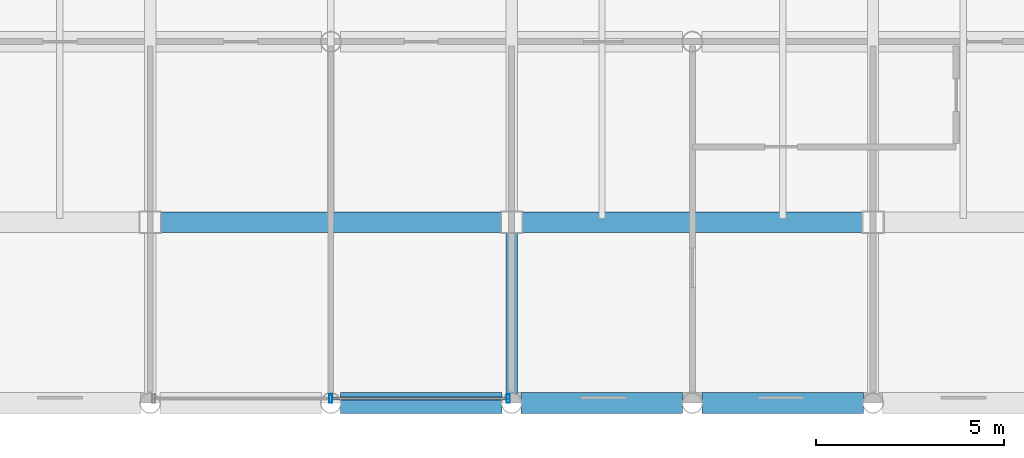
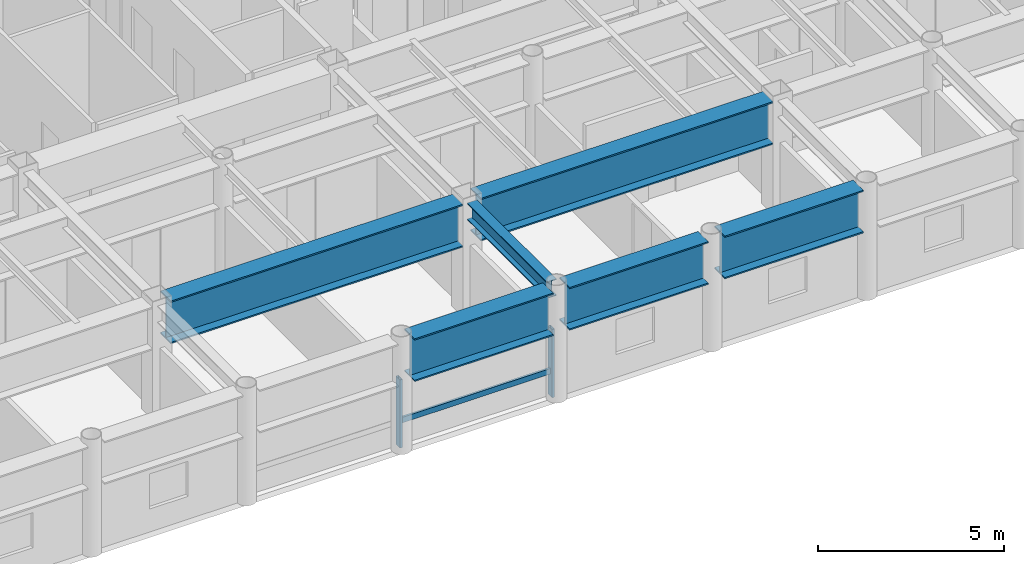
# One storey, part 8 of 25: 6 beams, 3 members, 1 element without a shape of its own.
"""IFC4 building model written with IfcOpenShell, lengths in metres."""

from ifc_helpers import new_model, si_unit, direction, frame, origin, origin_2d, place, context, subcontext, project, spatial, hollow_rectangle, i_section, extrude, material, layer, layer_set, material_profile, profile_set, type_object, element, aggregate, save


model = new_model("IFC4")

# Units and contexts
model_context = context("Model", 3, precision=1e-05, world=origin(), true_north=direction((0.0, 1.0)))
body_context = subcontext(model_context, "Body", "Model", "MODEL_VIEW")
ifc_project = project(units=[si_unit("LENGTHUNIT", "METRE"), si_unit("AREAUNIT", "SQUARE_METRE"), si_unit("VOLUMEUNIT", "CUBIC_METRE"), si_unit("PLANEANGLEUNIT", "RADIAN"), si_unit("MASSUNIT", "GRAM", prefix="KILO")], contexts=[model_context])

# Site, building, storey
site_placement = place(None, origin())
site = spatial("IfcSite", under=ifc_project, at=site_placement, CompositionType="ELEMENT")
building_placement = place(site_placement, origin())
building = spatial("IfcBuilding", under=site, at=building_placement, Name="Kallvorn Hotel Tower", CompositionType="ELEMENT")
storey_placement = place(building_placement, frame((0.0, 0.0, 249.25)))
storey = spatial("IfcBuildingStorey", under=building, at=storey_placement, Name="L62", CompositionType="ELEMENT", Elevation=249.25)

# Beams
ifc_material_1 = material(Name="Structural steel S355JR", Category="steel")
ifc_material_profile_1 = material_profile(ifc_material_1, i_section(OverallWidth=0.300048828125, OverallDepth=0.550048828125, WebThickness=0.014892578125, FlangeThickness=0.029052734375, at=origin_2d()), Name="HE 550 B")
ifc_profile_set_1 = profile_set([ifc_material_profile_1], Name="Structural steel S355JR")
beam_type_1 = type_object("IfcBeamType", Name="BM_HE550B", PredefinedType="SPANDREL", material=ifc_profile_set_1)
beam_1_placement = place(storey_placement, frame((4.800048828125, -18.945556640625, 3.39501953125), z_axis=(0.0, 1.0, 0.0), x_axis=(-1.0, 0.0, 0.0)))
element("IfcBeam", 1, at=beam_1_placement, inside=storey, type_object=beam_type_1, Name="L63 Primary Y-Girder 114", PredefinedType="SPANDREL", context=body_context, shape_type="SweptSolid", body=[
    extrude(i_section(OverallWidth=0.300048828125, OverallDepth=0.550048828125, WebThickness=0.014892578125, FlangeThickness=0.029052734375, at=origin_2d()), origin(), (0.0, 0.0, 1.0), 4.2705078125),
])
ifc_material_2 = material(Name="Structural steel S355JR", Category="steel")
ifc_material_profile_2 = material_profile(ifc_material_2, i_section(OverallWidth=0.550048828125, OverallDepth=1.39990234375, WebThickness=0.02490234375, FlangeThickness=0.044921875, at=origin_2d()), Name="PG 1400x550x25x45")
ifc_profile_set_2 = profile_set([ifc_material_profile_2], Name="Structural steel S355JR")
beam_type_2 = type_object("IfcBeamType", Name="BM_PG_1400", PredefinedType="BEAM", material=ifc_profile_set_2)
for number, where, z_axis, x_axis, name in (
    (2, (0.25439453125, -19.199951171875, 2.969970703125), (1.0, 0.0, 0.0), (0.0, 1.0, 0.0), "L63 Primary X-Girder 07"),
    (3, (5.054443359375, -19.199951171875, 2.969970703125), (1.0, 0.0, 0.0), (0.0, 1.0, 0.0), "L63 Primary X-Girder 08"),
    (4, (9.8544921875, -19.199951171875, 2.969970703125), (1.0, 0.0, 0.0), (0.0, 1.0, 0.0), "L63 Primary X-Girder 09"),
):
    element("IfcBeam", number, at=place(storey_placement, frame(where, z_axis=z_axis, x_axis=x_axis)), inside=storey, type_object=beam_type_2, Name=name, PredefinedType="BEAM", context=body_context, shape_type="SweptSolid", body=[
        extrude(i_section(OverallWidth=0.550048828125, OverallDepth=1.39990234375, WebThickness=0.02490234375, FlangeThickness=0.044921875, at=origin_2d()), origin(), (0.0, 0.0, 1.0), 4.291015625),
    ])
beam_2_placement = place(storey_placement, frame((-4.52490234375, -14.39990234375, 2.969970703125), z_axis=(1.0, 0.0, 0.0), x_axis=(0.0, 1.0, 0.0)))
element("IfcBeam", 5, at=beam_2_placement, inside=storey, type_object=beam_type_2, Name="L63 Primary X-Girder 18", PredefinedType="BEAM", context=body_context, shape_type="SweptSolid", body=[
    extrude(i_section(OverallWidth=0.550048828125, OverallDepth=1.39990234375, WebThickness=0.02490234375, FlangeThickness=0.044921875, at=origin_2d()), origin(), (0.0, 0.0, 1.0), 9.0498046875),
])
beam_3_placement = place(storey_placement, frame((5.074951171875, -14.39990234375, 2.969970703125), z_axis=(1.0, 0.0, 0.0), x_axis=(0.0, 1.0, 0.0)))
element("IfcBeam", 6, at=beam_3_placement, inside=storey, type_object=beam_type_2, Name="L63 Primary X-Girder 19", PredefinedType="BEAM", context=body_context, shape_type="SweptSolid", body=[
    extrude(i_section(OverallWidth=0.550048828125, OverallDepth=1.39990234375, WebThickness=0.02490234375, FlangeThickness=0.044921875, at=origin_2d()), origin(), (0.0, 0.0, 1.0), 9.050048828125),
])

# Curtain wall, members
ifc_material_3 = material(Name="Thermally broken black-anodised aluminium AA 6063-T6", Category="aluminium")
ifc_layer = layer(ifc_material_3, 0.22998046875)
ifc_layer_set = layer_set([ifc_layer], Name="CW_SYS_5_HOTEL_HIGH")
curtain_wall_type = type_object("IfcCurtainWallType", Name="CW_SYS_5_HOTEL_HIGH", PredefinedType="USERDEFINED", material=ifc_layer_set)
curtain_wall_placement = place(storey_placement, origin())
curtain_wall = element("IfcCurtainWall", 7, at=curtain_wall_placement, inside=storey, type_object=curtain_wall_type, Name="L62 Dark-Glass Curtain Wall CW-L62-SC", ObjectType="UNITISED CURTAIN WALL", PredefinedType="USERDEFINED")
ifc_material_4 = material(Name="Thermally broken black-anodised aluminium AA 6063-T6", Category="aluminium")
ifc_material_profile_3 = material_profile(ifc_material_4, hollow_rectangle(XDim=0.080078125, YDim=0.219970703125, WallThickness=0.0048828125, at=origin_2d()), Name="MUL 220x80")
ifc_profile_set_3 = profile_set([ifc_material_profile_3], Name="Thermally broken black-anodised aluminium AA 6063-T6")
member_type_1 = type_object("IfcMemberType", Name="CW_MULLION_220x80", PredefinedType="MULLION", material=ifc_profile_set_3)
member_1_placement = place(storey_placement, frame((0.0, -19.080078125, 0.02001953125), z_axis=(0.0, 0.0, 1.0), x_axis=(1.0, 0.0, 0.0)))
member_1 = element("IfcMember", 8, at=member_1_placement, type_object=member_type_1, Name="CW-L62-SC Mullion 01", PredefinedType="MULLION", context=body_context, shape_type="SweptSolid", body=[
    extrude(hollow_rectangle(XDim=0.080078125, YDim=0.219970703125, WallThickness=0.0048828125, at=origin_2d()), origin(), (0.0, 0.0, 1.0), 2.22998046875),
])
member_2_placement = place(storey_placement, frame((4.7099609375, -19.080078125, 0.02001953125), z_axis=(0.0, 0.0, 1.0), x_axis=(1.0, 0.0, 0.0)))
member_2 = element("IfcMember", 9, at=member_2_placement, type_object=member_type_1, Name="CW-L62-SC Mullion 02", PredefinedType="MULLION", context=body_context, shape_type="SweptSolid", body=[
    extrude(hollow_rectangle(XDim=0.080078125, YDim=0.219970703125, WallThickness=0.0048828125, at=origin_2d()), origin(), (0.0, 0.0, 1.0), 2.22998046875),
])
ifc_material_5 = material(Name="Thermally broken black-anodised aluminium AA 6063-T6", Category="aluminium")
ifc_material_profile_4 = material_profile(ifc_material_5, hollow_rectangle(XDim=0.070068359375, YDim=0.179931640625, WallThickness=0.00390625, at=origin_2d()), Name="TRN 180x70")
ifc_profile_set_4 = profile_set([ifc_material_profile_4], Name="Thermally broken black-anodised aluminium AA 6063-T6")
member_type_2 = type_object("IfcMemberType", Name="CW_TRANSOM_180x70", PredefinedType="USERDEFINED", material=ifc_profile_set_4)
member_3_placement = place(storey_placement, frame((0.0400390625, -19.080078125, 0.85009765625), z_axis=(1.0, 0.0, 0.0), x_axis=(0.0, 1.0, 0.0)))
member_3 = element("IfcMember", 10, at=member_3_placement, type_object=member_type_2, Name="CW-L62-SC Transom 01M", ObjectType="TRANSOM", PredefinedType="USERDEFINED", context=body_context, shape_type="SweptSolid", body=[
    extrude(hollow_rectangle(XDim=0.070068359375, YDim=0.179931640625, WallThickness=0.00390625, at=origin_2d()), origin(), (0.0, 0.0, 1.0), 4.669921875),
])
aggregate(curtain_wall, [member_1, member_2, member_3])

save(model, "model.ifc")
